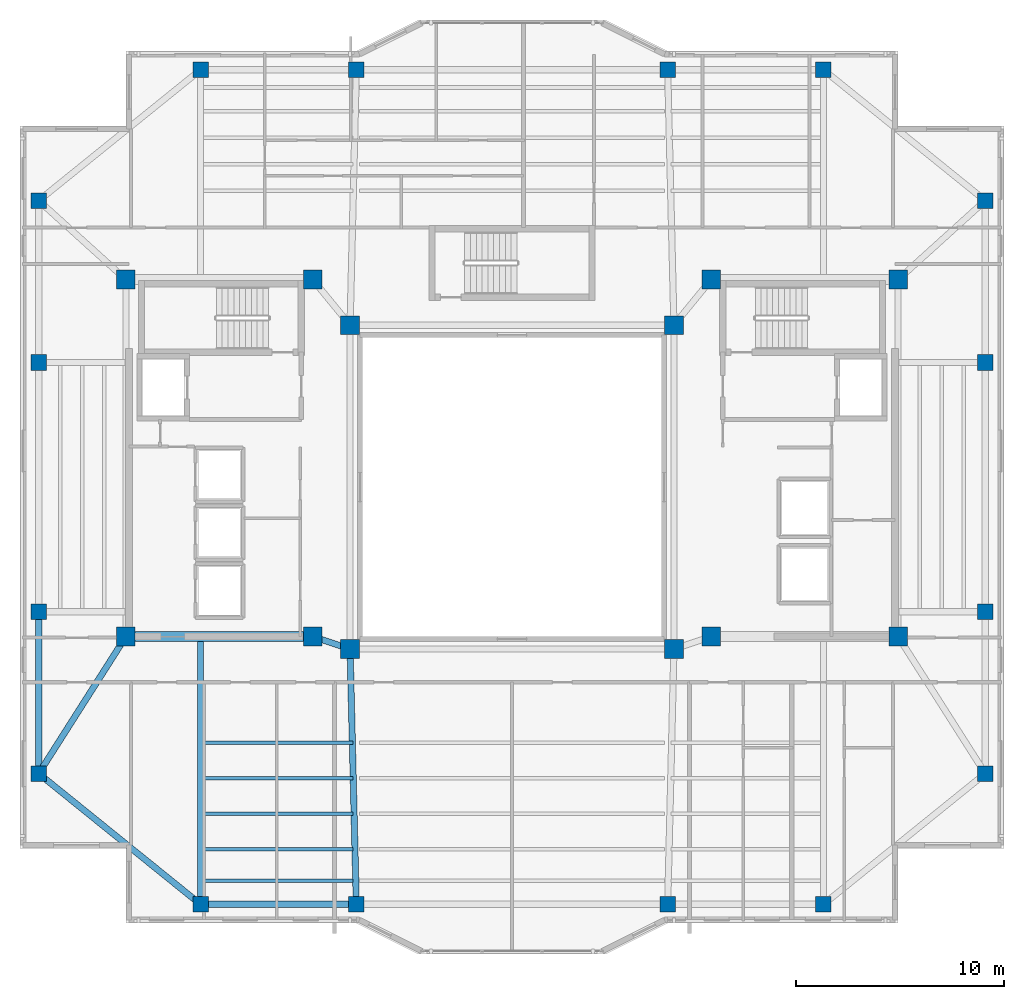
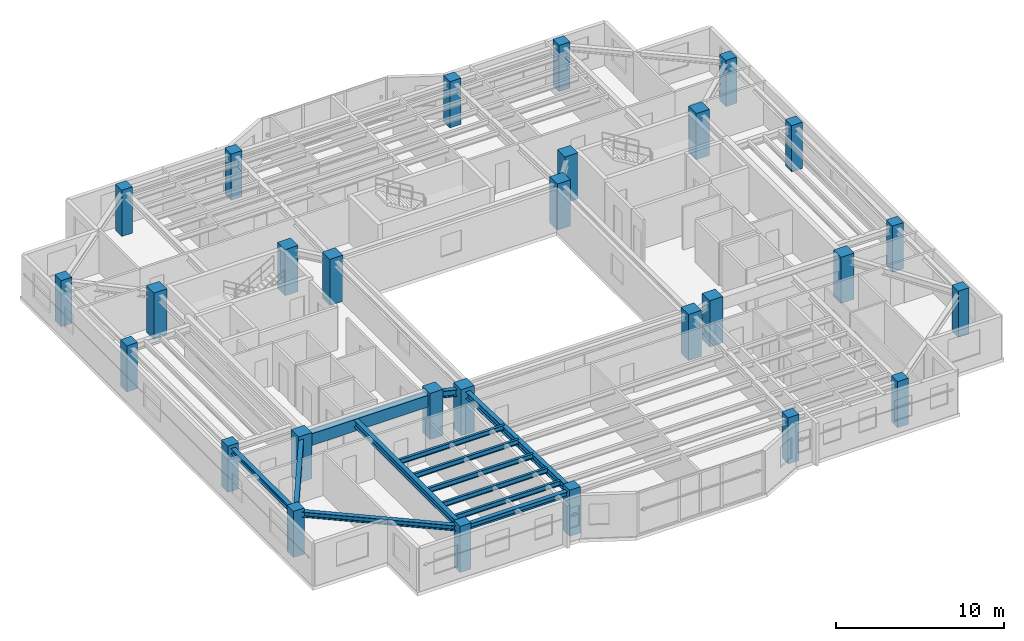
# One storey, part 1 of 13: 28 columns, 13 beams.
"""IFC4 building model written with IfcOpenShell, lengths in metres."""

from ifc_helpers import new_model, si_unit, direction, frame, origin, origin_2d, place, context, subcontext, project, spatial, rectangle, i_section, extrude, material, material_profile, profile_set, type_object, element, save


model = new_model("IFC4")

# Units and contexts
model_context = context("Model", 3, precision=1e-05, world=origin(), true_north=direction((0.0, 1.0)))
body_context = subcontext(model_context, "Body", "Model", "MODEL_VIEW")
ifc_project = project(units=[si_unit("LENGTHUNIT", "METRE"), si_unit("AREAUNIT", "SQUARE_METRE"), si_unit("VOLUMEUNIT", "CUBIC_METRE"), si_unit("PLANEANGLEUNIT", "RADIAN"), si_unit("MASSUNIT", "GRAM", prefix="KILO")], contexts=[model_context])

# Site, building, storey
site_placement = place(None, origin())
site = spatial("IfcSite", under=ifc_project, at=site_placement, CompositionType="ELEMENT")
building_placement = place(site_placement, origin())
building = spatial("IfcBuilding", under=site, at=building_placement, Name="Tarnavaz Court Tower", CompositionType="ELEMENT")
storey_placement = place(building_placement, frame((0.0, 0.0, 193.60009765625)))
storey = spatial("IfcBuildingStorey", under=building, at=storey_placement, Name="L52", CompositionType="ELEMENT", Elevation=193.60009765625)

# Columns
ifc_material_1 = material(Name="Concrete C50/60", Category="concrete")
ifc_material_profile_1 = material_profile(ifc_material_1, rectangle(XDim=0.75, YDim=0.75, at=origin_2d()), Name="RC 750X750")
ifc_profile_set_1 = profile_set([ifc_material_profile_1], Name="Concrete C50/60")
column_type_1 = type_object("IfcColumnType", Name="CL-RC750", PredefinedType="COLUMN", material=ifc_profile_set_1)
for number, where, z_axis, x_axis, name in (
    (1, (-15.0, 20.10009765625, 0.0), (0.0, 0.0, 1.0), (1.0, 0.0, 0.0), "L52 Column PN-1"),
    (2, (-7.5, 20.10009765625, 0.0), (0.0, 0.0, 1.0), (1.0, 0.0, 0.0), "L52 Column PN-2"),
    (3, (7.5, 20.10009765625, 0.0), (0.0, 0.0, 1.0), (1.0, 0.0, 0.0), "L52 Column PN-3"),
    (4, (15.0, 20.10009765625, 0.0), (0.0, 0.0, 1.0), (1.0, 0.0, 0.0), "L52 Column PN-4"),
    (5, (-15.0, -20.10009765625, 0.0), (0.0, 0.0, 1.0), (1.0, 0.0, 0.0), "L52 Column PS-1"),
    (6, (-7.5, -20.10009765625, 0.0), (0.0, 0.0, 1.0), (1.0, 0.0, 0.0), "L52 Column PS-2"),
    (7, (7.5, -20.10009765625, 0.0), (0.0, 0.0, 1.0), (1.0, 0.0, 0.0), "L52 Column PS-3"),
    (8, (15.0, -20.10009765625, 0.0), (0.0, 0.0, 1.0), (1.0, 0.0, 0.0), "L52 Column PS-4"),
    (9, (22.800048828125, -13.800048828125, 0.0), (0.0, 0.0, 1.0), (1.0, 0.0, 0.0), "L52 Column PE-1"),
    (10, (22.800048828125, -6.0, 0.0), (0.0, 0.0, 1.0), (1.0, 0.0, 0.0), "L52 Column PE-2"),
    (11, (22.800048828125, 6.0, 0.0), (0.0, 0.0, 1.0), (1.0, 0.0, 0.0), "L52 Column PE-3"),
    (12, (22.800048828125, 13.800048828125, 0.0), (0.0, 0.0, 1.0), (1.0, 0.0, 0.0), "L52 Column PE-4"),
    (13, (-22.800048828125, -13.800048828125, 0.0), (0.0, 0.0, 1.0), (1.0, 0.0, 0.0), "L52 Column PW-1"),
    (14, (-22.800048828125, -6.0, 0.0), (0.0, 0.0, 1.0), (1.0, 0.0, 0.0), "L52 Column PW-2"),
    (15, (-22.800048828125, 6.0, 0.0), (0.0, 0.0, 1.0), (1.0, 0.0, 0.0), "L52 Column PW-3"),
    (16, (-22.800048828125, 13.800048828125, 0.0), (0.0, 0.0, 1.0), (1.0, 0.0, 0.0), "L52 Column PW-4"),
):
    element("IfcColumn", number, at=place(storey_placement, frame(where, z_axis=z_axis, x_axis=x_axis)), inside=storey, type_object=column_type_1, Name=name, PredefinedType="COLUMN", context=body_context, shape_type="SweptSolid", body=[
        extrude(rectangle(XDim=0.75, YDim=0.75, at=origin_2d()), origin(), (0.0, 0.0, 1.0), 3.349853515625),
    ])
ifc_material_profile_2 = material_profile(ifc_material_1, rectangle(XDim=0.89990234375, YDim=0.89990234375, at=origin_2d()), Name="RC 900X900")
ifc_profile_set_2 = profile_set([ifc_material_profile_2], Name="Concrete C50/60")
column_type_2 = type_object("IfcColumnType", Name="CL-RC900", PredefinedType="COLUMN", material=ifc_profile_set_2)
for number, where, z_axis, x_axis, name in (
    (17, (-7.800048828125, -7.800048828125, 0.0), (0.0, 0.0, 1.0), (1.0, 0.0, 0.0), "L52 Column IW-SW"),
    (18, (7.800048828125, -7.800048828125, 0.0), (0.0, 0.0, 1.0), (1.0, 0.0, 0.0), "L52 Column IW-SE"),
    (19, (-7.800048828125, 7.800048828125, 0.0), (0.0, 0.0, 1.0), (1.0, 0.0, 0.0), "L52 Column IW-NW"),
    (20, (7.800048828125, 7.800048828125, 0.0), (0.0, 0.0, 1.0), (1.0, 0.0, 0.0), "L52 Column IW-NE"),
    (21, (-9.60009765625, -7.199951171875, 0.0), (0.0, 0.0, 1.0), (1.0, 0.0, 0.0), "L52 Column CW-SI"),
    (22, (-9.60009765625, 10.0, 0.0), (0.0, 0.0, 1.0), (1.0, 0.0, 0.0), "L52 Column CW-NI"),
    (23, (9.60009765625, -7.199951171875, 0.0), (0.0, 0.0, 1.0), (1.0, 0.0, 0.0), "L52 Column CE-SI"),
    (24, (9.60009765625, 10.0, 0.0), (0.0, 0.0, 1.0), (1.0, 0.0, 0.0), "L52 Column CE-NI"),
    (25, (-18.60009765625, -7.199951171875, 0.0), (0.0, 0.0, 1.0), (1.0, 0.0, 0.0), "L52 Column CW-SO"),
    (26, (-18.60009765625, 10.0, 0.0), (0.0, 0.0, 1.0), (1.0, 0.0, 0.0), "L52 Column CW-NO"),
    (27, (18.60009765625, -7.199951171875, 0.0), (0.0, 0.0, 1.0), (1.0, 0.0, 0.0), "L52 Column CE-SO"),
    (28, (18.60009765625, 10.0, 0.0), (0.0, 0.0, 1.0), (1.0, 0.0, 0.0), "L52 Column CE-NO"),
):
    element("IfcColumn", number, at=place(storey_placement, frame(where, z_axis=z_axis, x_axis=x_axis)), inside=storey, type_object=column_type_2, Name=name, PredefinedType="COLUMN", context=body_context, shape_type="SweptSolid", body=[
        extrude(rectangle(XDim=0.89990234375, YDim=0.89990234375, at=origin_2d()), origin(), (0.0, 0.0, 1.0), 3.349853515625),
    ])

# Beams
ifc_material_profile_3 = material_profile(ifc_material_1, rectangle(XDim=0.5, YDim=0.85009765625, at=origin_2d()), Name="RC 500X850")
ifc_profile_set_3 = profile_set([ifc_material_profile_3], Name="Concrete C50/60")
beam_type_1 = type_object("IfcBeamType", Name="BM-CB850", PredefinedType="LINTEL", material=ifc_profile_set_3)
beam_1_placement = place(storey_placement, frame((-18.3798828125, -7.199951171875, 2.6748046875), z_axis=(1.0, 0.0, 0.0), x_axis=(0.0, 1.0, 0.0)))
element("IfcBeam", 29, at=beam_1_placement, inside=storey, type_object=beam_type_1, Name="L52 Beam IN-CW-SO-CW-SI", PredefinedType="LINTEL", context=body_context, shape_type="SweptSolid", body=[
    extrude(rectangle(XDim=0.5, YDim=0.85009765625, at=origin_2d()), origin(), (0.0, 0.0, 1.0), 8.559814453125),
])
ifc_material_2 = material(Name="Steel S355", Category="steel")
ifc_material_profile_4 = material_profile(ifc_material_2, i_section(OverallWidth=0.300048828125, OverallDepth=0.5, WebThickness=0.014404296875, FlangeThickness=0.028076171875, FilletRadius=0.027099609375, at=origin_2d()), Name="HEB 500")
ifc_profile_set_4 = profile_set([ifc_material_profile_4], Name="Steel S355")
beam_type_2 = type_object("IfcBeamType", Name="BM-G-HEB500", PredefinedType="USERDEFINED", material=ifc_profile_set_4)
beam_2_placement = place(storey_placement, frame((-9.391357421875, -7.26953125, 2.849853515625), z_axis=(0.948666544706, -0.316278021615, 0.0), x_axis=(0.316278021615, 0.948666544706, 0.0)))
element("IfcBeam", 30, at=beam_2_placement, inside=storey, type_object=beam_type_2, Name="L52 Beam IN-CW-SI-IW-SW", ObjectType="GIRDER", PredefinedType="USERDEFINED", context=body_context, shape_type="SweptSolid", body=[
    extrude(i_section(OverallWidth=0.300048828125, OverallDepth=0.5, WebThickness=0.014404296875, FlangeThickness=0.028076171875, FilletRadius=0.027099609375, at=origin_2d()), origin(), (0.0, 0.0, 1.0), 1.457275390625),
])
beam_3_placement = place(storey_placement, frame((-15.0, -7.239990234375, 2.849853515625), z_axis=(0.0, -1.0, 0.0), x_axis=(1.0, 0.0, 0.0)))
element("IfcBeam", 31, at=beam_3_placement, inside=storey, type_object=beam_type_2, Name="L52 Beam RG-05", ObjectType="GIRDER", PredefinedType="USERDEFINED", context=body_context, shape_type="SweptSolid", body=[
    extrude(i_section(OverallWidth=0.300048828125, OverallDepth=0.5, WebThickness=0.014404296875, FlangeThickness=0.028076171875, FilletRadius=0.027099609375, at=origin_2d()), origin(), (0.0, 0.0, 1.0), 12.639892578125),
])
beam_4_placement = place(storey_placement, frame((-7.794677734375, -8.02001953125, 2.849853515625), z_axis=(0.024386002211, -0.99970261723, 0.0), x_axis=(0.99970261723, 0.024386002211, 0.0)))
element("IfcBeam", 32, at=beam_4_placement, inside=storey, type_object=beam_type_2, Name="L52 Beam RG-06", ObjectType="GIRDER", PredefinedType="USERDEFINED", context=body_context, shape_type="SweptSolid", body=[
    extrude(i_section(OverallWidth=0.300048828125, OverallDepth=0.5, WebThickness=0.014404296875, FlangeThickness=0.028076171875, FilletRadius=0.027099609375, at=origin_2d()), origin(), (0.0, 0.0, 1.0), 11.863525390625),
])
beam_5_placement = place(storey_placement, frame((-18.718017578125, -7.385498046875, 2.849853515625), z_axis=(-0.536871212964, -0.843664210863, 0.0), x_axis=(0.843664210863, -0.536871212964, 0.0)))
element("IfcBeam", 33, at=beam_5_placement, inside=storey, type_object=beam_type_2, Name="L52 Beam RG-15", ObjectType="GIRDER", PredefinedType="USERDEFINED", context=body_context, shape_type="SweptSolid", body=[
    extrude(i_section(OverallWidth=0.300048828125, OverallDepth=0.5, WebThickness=0.014404296875, FlangeThickness=0.028076171875, FilletRadius=0.027099609375, at=origin_2d()), origin(), (0.0, 0.0, 1.0), 7.38330078125),
])
ifc_material_profile_5 = material_profile(ifc_material_2, i_section(OverallWidth=0.169921875, OverallDepth=0.360107421875, WebThickness=0.008056640625, FlangeThickness=0.0126953125, FilletRadius=0.01806640625, at=origin_2d()), Name="IPE 360")
ifc_profile_set_5 = profile_set([ifc_material_profile_5], Name="Steel S355")
beam_type_3 = type_object("IfcBeamType", Name="BM-J-IPE360", PredefinedType="JOIST", material=ifc_profile_set_5)
for number, where, z_axis, x_axis, name in (
    (34, (-14.85009765625, -12.31005859375, 2.919921875), (1.0, 0.0, 0.0), (0.0, 1.0, 0.0), "L52 Beam JS1-1"),
    (35, (-14.85009765625, -14.02001953125, 2.919921875), (1.0, 0.0, 0.0), (0.0, 1.0, 0.0), "L52 Beam JS2-1"),
    (36, (-14.85009765625, -15.72998046875, 2.919921875), (1.0, 0.0, 0.0), (0.0, 1.0, 0.0), "L52 Beam JS3-1"),
    (37, (-14.85009765625, -17.43994140625, 2.919921875), (1.0, 0.0, 0.0), (0.0, 1.0, 0.0), "L52 Beam JS4-1"),
    (38, (-14.85009765625, -18.9599609375, 2.919921875), (1.0, 0.0, 0.0), (0.0, 1.0, 0.0), "L52 Beam JS5-1"),
):
    element("IfcBeam", number, at=place(storey_placement, frame(where, z_axis=z_axis, x_axis=x_axis)), inside=storey, type_object=beam_type_3, Name=name, PredefinedType="JOIST", context=body_context, shape_type="SweptSolid", body=[
        extrude(i_section(OverallWidth=0.169921875, OverallDepth=0.360107421875, WebThickness=0.008056640625, FlangeThickness=0.0126953125, FilletRadius=0.01806640625, at=origin_2d()), origin(), (0.0, 0.0, 1.0), 7.2001953125),
    ])
ifc_material_profile_6 = material_profile(ifc_material_2, i_section(OverallWidth=0.300048828125, OverallDepth=0.389892578125, WebThickness=0.010986328125, FlangeThickness=0.01904296875, FilletRadius=0.027099609375, at=origin_2d()), Name="HEA 400")
ifc_profile_set_6 = profile_set([ifc_material_profile_6], Name="Steel S355")
beam_type_4 = type_object("IfcBeamType", Name="BM-SP-HEA400", PredefinedType="BEAM", material=ifc_profile_set_6)
beam_6_placement = place(storey_placement, frame((-14.780029296875, -20.10009765625, 2.90478515625), z_axis=(1.0, 0.0, 0.0), x_axis=(0.0, 1.0, 0.0)))
element("IfcBeam", 39, at=beam_6_placement, inside=storey, type_object=beam_type_4, Name="L52 Beam PR-PS-1-PS-2", PredefinedType="BEAM", context=body_context, shape_type="SweptSolid", body=[
    extrude(i_section(OverallWidth=0.300048828125, OverallDepth=0.389892578125, WebThickness=0.010986328125, FlangeThickness=0.01904296875, FilletRadius=0.027099609375, at=origin_2d()), origin(), (0.0, 0.0, 1.0), 7.06005859375),
])
beam_7_placement = place(storey_placement, frame((-22.800048828125, -13.580078125, 2.90478515625), z_axis=(0.0, 1.0, 0.0), x_axis=(-1.0, 0.0, 0.0)))
element("IfcBeam", 40, at=beam_7_placement, inside=storey, type_object=beam_type_4, Name="L52 Beam PR-PW-1-PW-2", PredefinedType="BEAM", context=body_context, shape_type="SweptSolid", body=[
    extrude(i_section(OverallWidth=0.300048828125, OverallDepth=0.389892578125, WebThickness=0.010986328125, FlangeThickness=0.01904296875, FilletRadius=0.027099609375, at=origin_2d()), origin(), (0.0, 0.0, 1.0), 7.360107421875),
])
beam_8_placement = place(storey_placement, frame((-15.171142578125, -19.9619140625, 2.90478515625), z_axis=(-0.777935913531, 0.628343627674, 0.0), x_axis=(-0.628343627674, -0.777935913531, 0.0)))
element("IfcBeam", 41, at=beam_8_placement, inside=storey, type_object=beam_type_4, Name="L52 Beam PR-PS-1-PW-1", PredefinedType="BEAM", context=body_context, shape_type="SweptSolid", body=[
    extrude(i_section(OverallWidth=0.300048828125, OverallDepth=0.389892578125, WebThickness=0.010986328125, FlangeThickness=0.01904296875, FilletRadius=0.027099609375, at=origin_2d()), origin(), (0.0, 0.0, 1.0), 9.586669921875),
])

save(model, "model.ifc")
